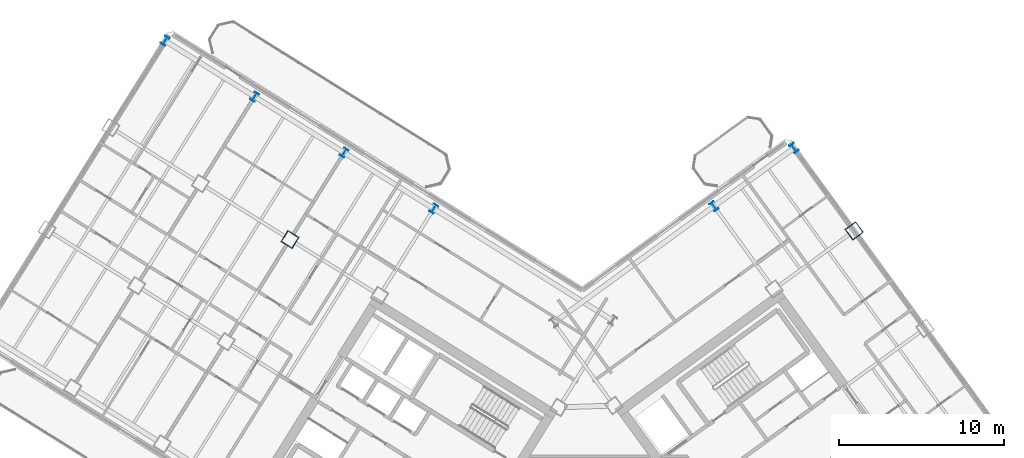
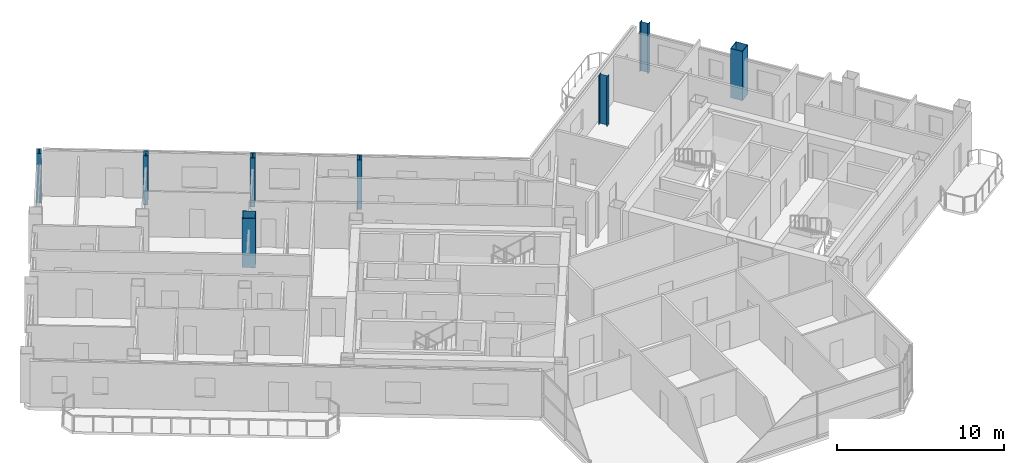
# One storey, part 3 of 21: 8 columns.
"""IFC4 building model written with IfcOpenShell, lengths in metres."""

from ifc_helpers import new_model, si_unit, direction, frame, origin, origin_2d, place, context, subcontext, project, spatial, hollow_rectangle, i_section, extrude, source, transform, mapped, material, material_profile, profile_set, type_object, element, save


model = new_model("IFC4")

# Units and contexts
model_context = context("Model", 3, precision=1e-05, world=origin(), true_north=direction((0.0, 1.0)))
body_context = subcontext(model_context, "Body", "Model", "MODEL_VIEW")
ifc_project = project(units=[si_unit("LENGTHUNIT", "METRE"), si_unit("AREAUNIT", "SQUARE_METRE"), si_unit("VOLUMEUNIT", "CUBIC_METRE"), si_unit("PLANEANGLEUNIT", "RADIAN"), si_unit("MASSUNIT", "GRAM", prefix="KILO")], contexts=[model_context])

# Site, building, storey
site_placement = place(None, origin())
site = spatial("IfcSite", under=ifc_project, at=site_placement, CompositionType="ELEMENT")
building_placement = place(site_placement, origin())
building = spatial("IfcBuilding", under=site, at=building_placement, Name="Tlacorven Tower", CompositionType="ELEMENT")
storey_placement = place(building_placement, frame((0.0, 0.0, 191.39990234375)))
storey = spatial("IfcBuildingStorey", under=building, at=storey_placement, Name="L48", CompositionType="ELEMENT", Elevation=191.39990234375)

# Columns
ifc_material = material(Name="Steel S460M", Category="steel")
ifc_material_profile_1 = material_profile(ifc_material, i_section(OverallWidth=0.300048828125, OverallDepth=0.550048828125, WebThickness=0.014892578125, FlangeThickness=0.029052734375, at=origin_2d()), Name="HEB 550")
ifc_profile_set_1 = profile_set([ifc_material_profile_1], Name="Steel S460M")
column_type_1 = type_object("IfcColumnType", Name="COL-TWR-P2", PredefinedType="COLUMN", material=ifc_profile_set_1)
shared_shape_1 = source(origin(), body_context, "Body", "SweptSolid", [
    extrude(i_section(OverallWidth=0.300048828125, OverallDepth=0.550048828125, WebThickness=0.014892578125, FlangeThickness=0.029052734375, at=origin_2d()), origin(), (0.0, 0.0, 1.0), 3.60009765625),
])
for number, where, z_axis, x_axis, name in (
    (1, (33.21337890625, 36.50927734375, 0.0), (0.0, 0.0, 1.0), (-0.848048096156, 0.529919264233, 0.0), "L48 column COL-L48-W3-1"),
    (2, (27.785888671875, 39.900634765625, 0.0), (0.0, 0.0, 1.0), (-0.848048096156, 0.529919264233, 0.0), "L48 column COL-L48-W4-1"),
    (3, (22.3583984375, 43.292236328125, 0.0), (0.0, 0.0, 1.0), (-0.848048096156, 0.529919264233, 0.0), "L48 column COL-L48-W5-1"),
    (4, (16.930908203125, 46.68359375, 0.0), (0.0, 0.0, 1.0), (-0.848048096156, 0.529919264233, 0.0), "L48 column COL-L48-W6-1"),
    (5, (50.187744140625, 36.654296875, 0.0), (0.0, 0.0, 1.0), (0.809016994375, 0.587785252292, 0.0), "L48 column COL-L48-E3-4"),
    (6, (55.041748046875, 40.18115234375, 0.0), (0.0, 0.0, 1.0), (0.809016994375, 0.587785252292, 0.0), "L48 column COL-L48-E4-4"),
):
    element("IfcColumn", number, at=place(storey_placement, frame(where, z_axis=z_axis, x_axis=x_axis)), inside=storey, type_object=column_type_1, Name=name, PredefinedType="COLUMN", context=body_context, shape_type="MappedRepresentation", body=[
        mapped(shared_shape_1, transform((0.0, 0.0, 0.0), scale=1.0)),
    ])
ifc_material_profile_2 = material_profile(ifc_material, hollow_rectangle(XDim=0.800048828125, YDim=0.800048828125, WallThickness=0.031982421875, at=origin_2d()), Name="BOX 800X800X32")
ifc_profile_set_2 = profile_set([ifc_material_profile_2], Name="Steel S460M")
column_type_2 = type_object("IfcColumnType", Name="COL-TWR-S3", PredefinedType="COLUMN", material=ifc_profile_set_2)
shared_shape_2 = source(origin(), body_context, "Body", "SweptSolid", [
    extrude(hollow_rectangle(XDim=0.800048828125, YDim=0.800048828125, WallThickness=0.031982421875, at=origin_2d()), origin(), (0.0, 0.0, 1.0), 3.60009765625),
])
for number, where, z_axis, x_axis, name in (
    (7, (24.50048828125, 34.642822265625, 0.0), (0.0, 0.0, 1.0), (-0.848048096156, 0.529919264233, 0.0), "L48 column COL-L48-W4-2"),
    (8, (58.68603515625, 35.165283203125, 0.0), (0.0, 0.0, 1.0), (0.809016994375, 0.587785252292, 0.0), "L48 column COL-L48-E4-3"),
):
    element("IfcColumn", number, at=place(storey_placement, frame(where, z_axis=z_axis, x_axis=x_axis)), inside=storey, type_object=column_type_2, Name=name, PredefinedType="COLUMN", context=body_context, shape_type="MappedRepresentation", body=[
        mapped(shared_shape_2, transform((0.0, 0.0, 0.0), scale=1.0)),
    ])

save(model, "model.ifc")
